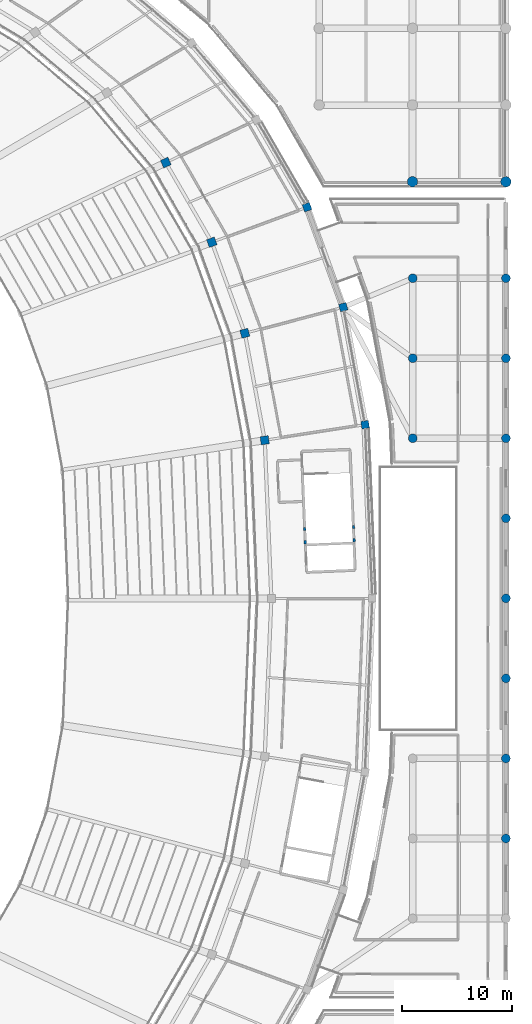
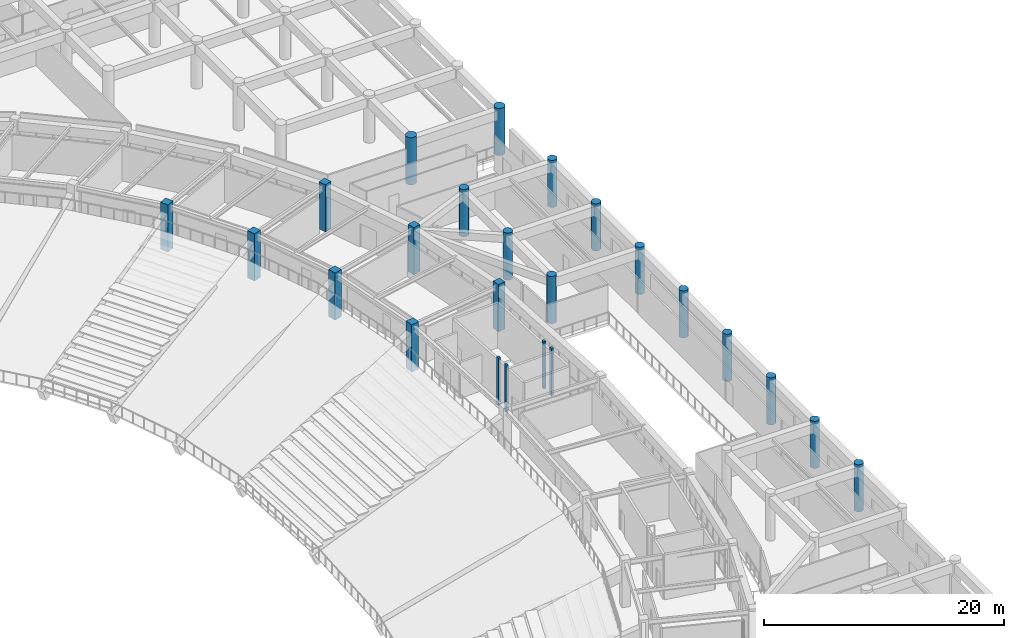
# One storey, part 6 of 137: 24 columns.
"""IFC4 building model written with IfcOpenShell, lengths in metres."""

from ifc_helpers import new_model, si_unit, direction, frame, origin, origin_2d, place, context, subcontext, project, spatial, rectangle, circle, extrude, material, material_profile, profile_set, type_object, element, save


model = new_model("IFC4")

# Units and contexts
model_context = context("Model", 3, precision=1e-05, world=origin(), true_north=direction((0.0, 1.0)))
body_context = subcontext(model_context, "Body", "Model", "MODEL_VIEW")
ifc_project = project(units=[si_unit("LENGTHUNIT", "METRE"), si_unit("AREAUNIT", "SQUARE_METRE"), si_unit("VOLUMEUNIT", "CUBIC_METRE"), si_unit("PLANEANGLEUNIT", "RADIAN"), si_unit("MASSUNIT", "GRAM", prefix="KILO")], contexts=[model_context])

# Site, building, storey
site_placement = place(None, origin())
site = spatial("IfcSite", under=ifc_project, at=site_placement, CompositionType="ELEMENT")
building_placement = place(site_placement, origin())
building = spatial("IfcBuilding", under=site, at=building_placement, Name="Mphavela Belvedere Stadium", CompositionType="ELEMENT")
storey_placement = place(building_placement, frame((0.0, 0.0, 19.199951171875)))
storey = spatial("IfcBuildingStorey", under=building, at=storey_placement, Name="L04", CompositionType="ELEMENT", Elevation=19.199951171875)

# Columns
ifc_material_1 = material(Name="Concrete C40/50", Category="concrete")
ifc_material_profile_1 = material_profile(ifc_material_1, rectangle(XDim=0.300048828125, YDim=0.219970703125, at=origin_2d()), Name="RC 300x220")
ifc_profile_set_1 = profile_set([ifc_material_profile_1], Name="Concrete C40/50")
column_type_1 = type_object("IfcColumnType", Name="COL-CORE-POST-300", PredefinedType="COLUMN", material=ifc_profile_set_1)
for number, where, z_axis, x_axis, name in (
    (1, (211.632080078125, 93.325439453125, 0.0), (0.0, 0.0, 1.0), (0.041875653729, -0.999122830099, 0.0), "Core C01 stair frame column L04-1"),
    (2, (211.682373046875, 92.12646484375, 0.0), (0.0, 0.0, 1.0), (0.041875653729, -0.999122830099, 0.0), "Core C01 stair frame column L04-2"),
    (3, (216.1484375, 92.313720703125, 0.0), (0.0, 0.0, 1.0), (0.041875653729, -0.999122830099, 0.0), "Core C01 stair frame column L04-3"),
    (4, (216.09814453125, 93.5126953125, 0.0), (0.0, 0.0, 1.0), (0.041875653729, -0.999122830099, 0.0), "Core C01 stair frame column L04-4"),
):
    element("IfcColumn", number, at=place(storey_placement, frame(where, z_axis=z_axis, x_axis=x_axis)), inside=storey, type_object=column_type_1, Name=name, PredefinedType="COLUMN", context=body_context, shape_type="SweptSolid", body=[
        extrude(rectangle(XDim=0.300048828125, YDim=0.219970703125, at=origin_2d()), origin(), (0.0, 0.0, 1.0), 4.800048828125),
    ])
ifc_material_2 = material(Name="Concrete C40/50", Category="concrete")
ifc_material_profile_2 = material_profile(ifc_material_2, circle(Radius=0.47509765625, at=origin_2d()), Name="COL D950")
ifc_profile_set_2 = profile_set([ifc_material_profile_2], Name="Concrete C40/50")
column_type_2 = type_object("IfcColumnType", Name="COL-DORIC-950", PredefinedType="COLUMN", material=ifc_profile_set_2)
for number, where, z_axis, x_axis, name in (
    (5, (221.48095703125, 125.0, 0.0), (0.0, 0.0, 1.0), (1.0, 0.0, 0.0), "North Mast and Ceremonial End Forecourt classical column L04 27-1"),
    (6, (230.0, 125.0, 0.0), (0.0, 0.0, 1.0), (1.0, 0.0, 0.0), "North Mast and Ceremonial End Forecourt classical column L04 28-1"),
):
    element("IfcColumn", number, at=place(storey_placement, frame(where, z_axis=z_axis, x_axis=x_axis)), inside=storey, type_object=column_type_2, Name=name, PredefinedType="COLUMN", context=body_context, shape_type="SweptSolid", body=[
        extrude(circle(Radius=0.47509765625, at=origin_2d()), origin(), (0.0, 0.0, 1.0), 4.800048828125),
    ])
ifc_material_3 = material(Name="Concrete C40/50", Category="concrete")
ifc_material_profile_3 = material_profile(ifc_material_3, circle(Radius=0.39990234375, at=origin_2d()), Name="COL D800")
ifc_profile_set_3 = profile_set([ifc_material_profile_3], Name="Concrete C40/50")
column_type_3 = type_object("IfcColumnType", Name="COL-PERISTYLE-800", PredefinedType="COLUMN", material=ifc_profile_set_3)
for number, where, z_axis, x_axis, name in (
    (7, (221.5, 101.60009765625, 0.0), (0.0, 0.0, 1.0), (1.0, 0.0, 0.0), "East Planted Eaves Peristyle Colonnade classical column L04 8-8"),
    (8, (221.5, 108.89990234375, 0.0), (0.0, 0.0, 1.0), (1.0, 0.0, 0.0), "East Planted Eaves Peristyle Colonnade classical column L04 8-9"),
    (9, (221.5, 116.199951171875, 0.0), (0.0, 0.0, 1.0), (1.0, 0.0, 0.0), "East Planted Eaves Peristyle Colonnade classical column L04 8-10"),
    (10, (230.0, 65.10009765625, 0.0), (0.0, 0.0, 1.0), (1.0, 0.0, 0.0), "East Planted Eaves Peristyle Colonnade classical column L04 9-3"),
    (11, (230.0, 72.39990234375, 0.0), (0.0, 0.0, 1.0), (1.0, 0.0, 0.0), "East Planted Eaves Peristyle Colonnade classical column L04 9-4"),
    (12, (230.0, 79.699951171875, 0.0), (0.0, 0.0, 1.0), (1.0, 0.0, 0.0), "East Planted Eaves Peristyle Colonnade classical column L04 9-5"),
    (13, (230.0, 87.0, 0.0), (0.0, 0.0, 1.0), (1.0, 0.0, 0.0), "East Planted Eaves Peristyle Colonnade classical column L04 9-6"),
    (14, (230.0, 94.300048828125, 0.0), (0.0, 0.0, 1.0), (1.0, 0.0, 0.0), "East Planted Eaves Peristyle Colonnade classical column L04 9-7"),
    (15, (230.0, 101.60009765625, 0.0), (0.0, 0.0, 1.0), (1.0, 0.0, 0.0), "East Planted Eaves Peristyle Colonnade classical column L04 9-8"),
    (16, (230.0, 108.89990234375, 0.0), (0.0, 0.0, 1.0), (1.0, 0.0, 0.0), "East Planted Eaves Peristyle Colonnade classical column L04 9-9"),
    (17, (230.0, 116.199951171875, 0.0), (0.0, 0.0, 1.0), (1.0, 0.0, 0.0), "East Planted Eaves Peristyle Colonnade classical column L04 9-10"),
):
    element("IfcColumn", number, at=place(storey_placement, frame(where, z_axis=z_axis, x_axis=x_axis)), inside=storey, type_object=column_type_3, Name=name, PredefinedType="COLUMN", context=body_context, shape_type="SweptSolid", body=[
        extrude(circle(Radius=0.39990234375, at=origin_2d()), origin(), (0.0, 0.0, 1.0), 4.800048828125),
    ])
ifc_material_4 = material(Name="Concrete C40/50", Category="concrete")
ifc_material_profile_4 = material_profile(ifc_material_4, rectangle(XDim=0.699951171875, YDim=0.699951171875, at=origin_2d()), Name="RC 700x700")
ifc_profile_set_4 = profile_set([ifc_material_profile_4], Name="Concrete C40/50")
column_type_4 = type_object("IfcColumnType", Name="COL-RC700", PredefinedType="COLUMN", material=ifc_profile_set_4)
for number, where, z_axis, x_axis, name in (
    (18, (217.155517578125, 102.844970703125, 0.0), (0.0, 0.0, 1.0), (0.98817491911, 0.153330783737, 0.0), "Outer colonnade column L04 R4-02"),
    (19, (215.16455078125, 113.5625, 0.0), (0.0, 0.0, 1.0), (0.966600102017, 0.256289373133, 0.0), "Outer colonnade column L04 R4-03"),
    (20, (211.856201171875, 122.682373046875, 0.0), (0.0, 0.0, 1.0), (0.938372433776, 0.34562577382, 0.0), "Outer colonnade column L04 R4-04"),
):
    element("IfcColumn", number, at=place(storey_placement, frame(where, z_axis=z_axis, x_axis=x_axis)), inside=storey, type_object=column_type_4, Name=name, PredefinedType="COLUMN", context=body_context, shape_type="SweptSolid", body=[
        extrude(rectangle(XDim=0.699951171875, YDim=0.699951171875, at=origin_2d()), origin(), (0.0, 0.0, 1.0), 4.800048828125),
    ])
ifc_material_5 = material(Name="Concrete C40/50", Category="concrete")
ifc_material_profile_5 = material_profile(ifc_material_5, rectangle(XDim=0.75, YDim=0.75, at=origin_2d()), Name="RC 750x750")
ifc_profile_set_5 = profile_set([ifc_material_profile_5], Name="Concrete C40/50")
column_type_5 = type_object("IfcColumnType", Name="COL-RC750", PredefinedType="COLUMN", material=ifc_profile_set_5)
for number, where, z_axis, x_axis, name in (
    (21, (208.0, 101.4248046875, 0.0), (0.0, 0.0, 1.0), (0.98817491911, 0.153330783737, 0.0), "Main bowl column L04 R3-02"),
    (22, (206.1875, 111.181884765625, 0.0), (0.0, 0.0, 1.0), (0.966600102017, 0.256289373133, 0.0), "Main bowl column L04 R3-03"),
    (23, (203.175537109375, 119.484375, 0.0), (0.0, 0.0, 1.0), (0.938372433776, 0.34562577382, 0.0), "Main bowl column L04 R3-04"),
    (24, (198.9755859375, 126.748291015625, 0.0), (0.0, 0.0, 1.0), (0.903858661687, 0.4278311813, 0.0), "Main bowl column L04 R3-05"),
):
    element("IfcColumn", number, at=place(storey_placement, frame(where, z_axis=z_axis, x_axis=x_axis)), inside=storey, type_object=column_type_5, Name=name, PredefinedType="COLUMN", context=body_context, shape_type="SweptSolid", body=[
        extrude(rectangle(XDim=0.75, YDim=0.75, at=origin_2d()), origin(), (0.0, 0.0, 1.0), 4.800048828125),
    ])

save(model, "model.ifc")
